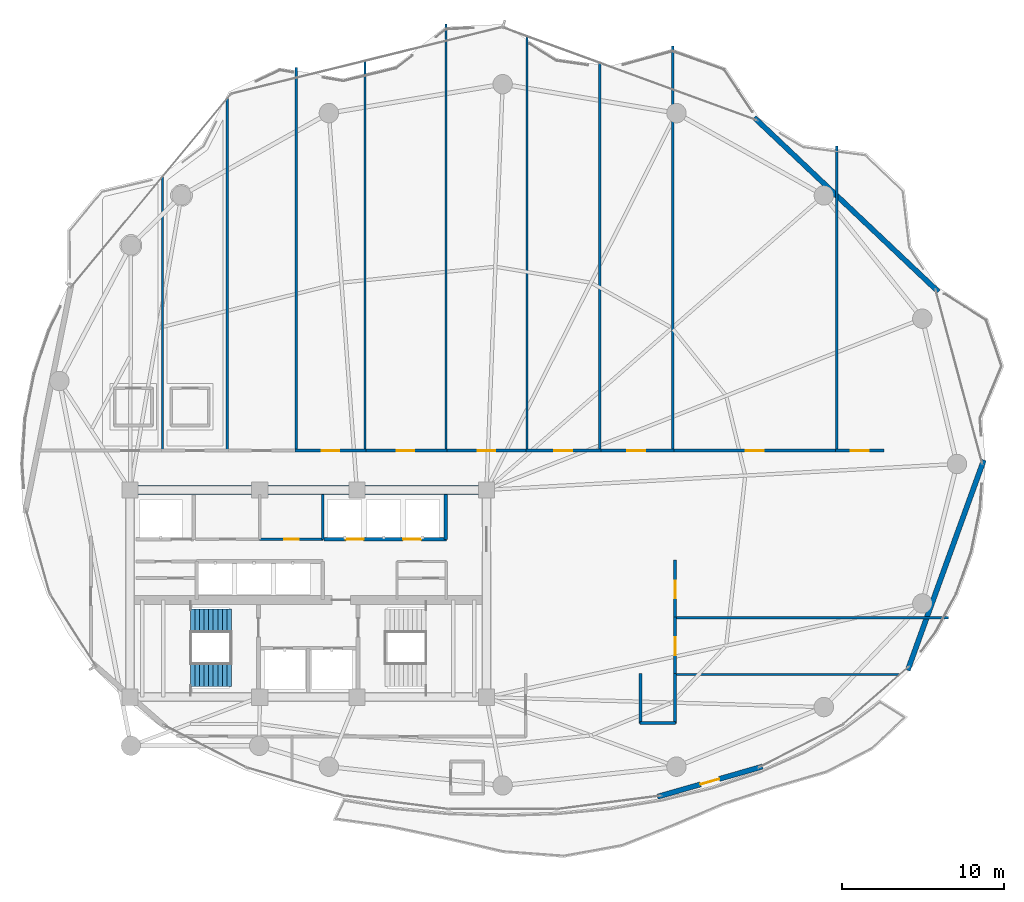
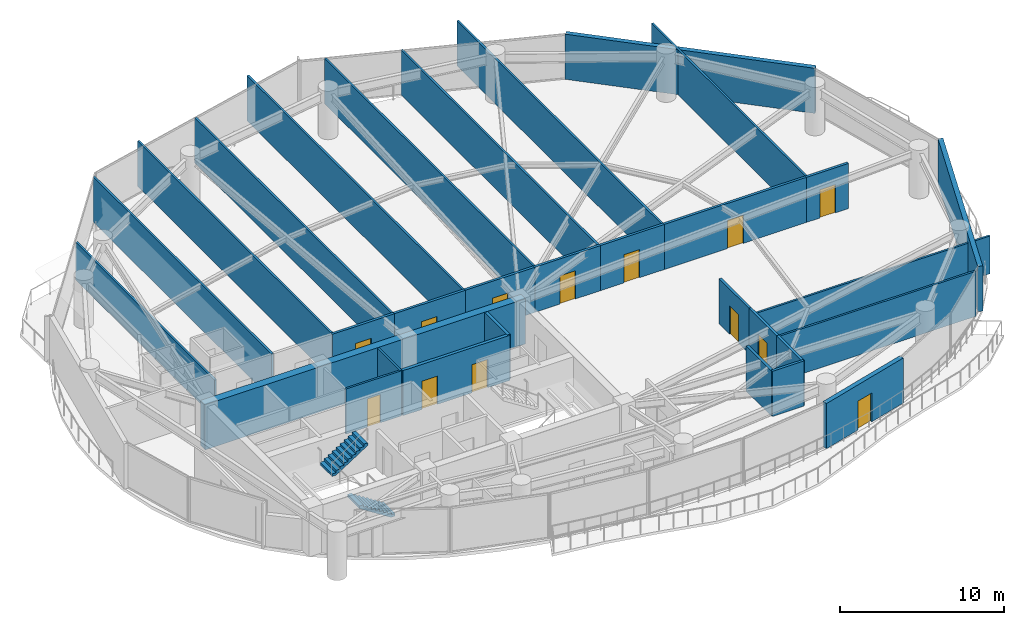
# One storey, part 24 of 28: 31 walls, 13 doors, 2 stair flights, 13 openings, 1 element without a shape of its own.
"""IFC4 building model written with IfcOpenShell, lengths in metres."""

from ifc_helpers import new_model, si_unit, direction, frame, frame_2d, origin, place, context, subcontext, project, spatial, polyline, rectangle, outline, extrude, material, layer, layer_set, type_object, element, fill, aggregate, save


model = new_model("IFC4")

# Units and contexts
model_context = context("Model", 3, precision=1e-05, world=origin(), true_north=direction((0.0, 1.0)))
body_context = subcontext(model_context, "Body", "Model", "MODEL_VIEW")
ifc_project = project(units=[si_unit("LENGTHUNIT", "METRE"), si_unit("AREAUNIT", "SQUARE_METRE"), si_unit("VOLUMEUNIT", "CUBIC_METRE"), si_unit("PLANEANGLEUNIT", "RADIAN"), si_unit("MASSUNIT", "GRAM", prefix="KILO")], contexts=[model_context])

# Site, building, storey
site_placement = place(None, origin())
site = spatial("IfcSite", under=ifc_project, at=site_placement, CompositionType="ELEMENT")
building_placement = place(site_placement, origin())
building = spatial("IfcBuilding", under=site, at=building_placement, Name="Kazevale Care Tower and Concert Hall", CompositionType="ELEMENT")
storey_placement = place(building_placement, frame((0.0, 0.0, 109.800048828125)))
storey = spatial("IfcBuildingStorey", under=building, at=storey_placement, Name="L28", CompositionType="ELEMENT", Elevation=109.800048828125)

# Wall, opening, door
ifc_material_1 = material(Name="Acoustic Gypsum on Steel Stud", Category="steel")
ifc_layer_1 = layer(ifc_material_1, 0.139892578125)
ifc_layer_set_1 = layer_set([ifc_layer_1], Name="Acoustic Gypsum on Steel Stud")
wall_type_1 = type_object("IfcWallType", Name="Acoustic Care & Suite Partition 140", PredefinedType="PARTITIONING", material=ifc_layer_set_1)
wall_1_placement = place(storey_placement, frame((30.0, 33.35009765625, 0.0), z_axis=(0.0, 0.0, 1.0), x_axis=(1.0, 0.0, 0.0)))
wall_1 = element("IfcWall", 1, at=wall_1_placement, inside=storey, type_object=wall_type_1, Name="wall:L28:c_rpl2_s", PredefinedType="PARTITIONING", context=body_context, shape_type="SweptSolid", body=[
    extrude(rectangle(XDim=3.919921875, YDim=0.139892578125, at=frame_2d((1.9599609375, 0.0))), origin(), (0.0, 0.0, 1.0), 3.35986328125),
])
opening_1_placement = place(wall_1_placement, frame((1.5, 0.0, 0.0)))
opening_1 = element("IfcOpeningElement", 2, at=opening_1_placement, cuts=wall_1, Name="Opening ID-900", PredefinedType="OPENING", context=body_context, shape_type="SweptSolid", body=[
    extrude(rectangle(XDim=0.919921875, YDim=2.10009765625, at=frame_2d((0.4599609375, 1.050048828125))), frame((0.0, 0.079833984375, 0.0), z_axis=(0.0, -1.0, 0.0), x_axis=(1.0, 0.0, 0.0)), (0.0, 0.0, 1.0), 0.159912109375),
])
ifc_material_2 = material(Name="Oak Timber Fire Leaf", Category="wood")
door_type_1 = type_object("IfcDoorType", Name="Bathroom & Service Door 920x2100", OperationType="NOTDEFINED", PredefinedType="DOOR", material=ifc_material_2)
door_1_placement = place(opening_1_placement, origin())
door_1 = element("IfcDoor", 3, at=door_1_placement, inside=storey, type_object=door_type_1, Name="door:L28:d_rpl2", OperationType="SINGLE_SWING_RIGHT", OverallHeight=2.10009765625, OverallWidth=0.919921875, PredefinedType="DOOR", context=body_context, shape_type="SweptSolid", body=[
    extrude(rectangle(XDim=0.919921875, YDim=2.10009765625, at=frame_2d((0.4599609375, 1.050048828125))), frame((0.0, 0.02490234375, 0.0), z_axis=(0.0, -1.0, 0.0), x_axis=(1.0, 0.0, 0.0)), (0.0, 0.0, 1.0), 0.050048828125),
])
fill(opening_1, door_1)

# Walls
wall_2_placement = place(storey_placement, frame((33.89990234375, 33.35009765625, 0.0), z_axis=(0.0, 0.0, 1.0), x_axis=(0.0, 1.0, 0.0)))
element("IfcWall", 4, at=wall_2_placement, inside=storey, type_object=wall_type_1, Name="wall:L28:c_rpl_e", PredefinedType="PARTITIONING", context=body_context, shape_type="SweptSolid", body=[
    extrude(rectangle(XDim=2.75, YDim=0.139892578125, at=frame_2d((1.375, 0.0))), origin(), (0.0, 0.0, 1.0), 3.35986328125),
])
wall_3_placement = place(storey_placement, frame((24.0, 55.724365234375, 0.0), z_axis=(0.0, 0.0, 1.0), x_axis=(0.0, -1.0, 0.0)))
element("IfcWall", 5, at=wall_3_placement, inside=storey, type_object=wall_type_1, Name="wall:L28:auto_020", PredefinedType="PARTITIONING", context=body_context, shape_type="SweptSolid", body=[
    extrude(rectangle(XDim=16.929443359375, YDim=0.139892578125, at=frame_2d((8.46484375, 0.0))), origin(), (0.0, 0.0, 1.0), 2.805908203125),
])
wall_4_placement = place(storey_placement, frame((28.0, 60.55224609375, 0.0), z_axis=(0.0, 0.0, 1.0), x_axis=(0.0, -1.0, 0.0)))
element("IfcWall", 6, at=wall_4_placement, inside=storey, type_object=wall_type_1, Name="wall:L28:auto_021", PredefinedType="PARTITIONING", context=body_context, shape_type="SweptSolid", body=[
    extrude(rectangle(XDim=21.75732421875, YDim=0.139892578125, at=frame_2d((10.878662109375, 0.0))), origin(), (0.0, 0.0, 1.0), 3.35986328125),
])
wall_5_placement = place(storey_placement, frame((32.25, 62.48291015625, 0.0), z_axis=(0.0, 0.0, 1.0), x_axis=(0.0, -1.0, 0.0)))
element("IfcWall", 7, at=wall_5_placement, inside=storey, type_object=wall_type_1, Name="wall:L28:auto_022", PredefinedType="PARTITIONING", context=body_context, shape_type="SweptSolid", body=[
    extrude(rectangle(XDim=23.68798828125, YDim=0.139892578125, at=frame_2d((11.843994140625, 0.0))), origin(), (0.0, 0.0, 1.0), 3.35986328125),
])
wall_6_placement = place(storey_placement, frame((36.5, 62.8759765625, 0.0), z_axis=(0.0, 0.0, 1.0), x_axis=(0.0, -1.0, 0.0)))
element("IfcWall", 8, at=wall_6_placement, inside=storey, type_object=wall_type_1, Name="wall:L28:auto_023", PredefinedType="PARTITIONING", context=body_context, shape_type="SweptSolid", body=[
    extrude(rectangle(XDim=24.0810546875, YDim=0.139892578125, at=frame_2d((12.04052734375, 0.0))), origin(), (0.0, 0.0, 1.0), 3.35986328125),
])
wall_7_placement = place(storey_placement, frame((41.5, 65.174072265625, 0.0), z_axis=(0.0, 0.0, 1.0), x_axis=(0.0, -1.0, 0.0)))
element("IfcWall", 9, at=wall_7_placement, inside=storey, type_object=wall_type_1, Name="wall:L28:auto_024", PredefinedType="PARTITIONING", context=body_context, shape_type="SweptSolid", body=[
    extrude(rectangle(XDim=26.379150390625, YDim=0.139892578125, at=frame_2d((13.189453125, 0.0))), origin(), (0.0, 0.0, 1.0), 3.35986328125),
])
wall_8_placement = place(storey_placement, frame((46.5, 64.368896484375, 0.0), z_axis=(0.0, 0.0, 1.0), x_axis=(0.0, -1.0, 0.0)))
element("IfcWall", 10, at=wall_8_placement, inside=storey, type_object=wall_type_1, Name="wall:L28:auto_025", PredefinedType="PARTITIONING", context=body_context, shape_type="SweptSolid", body=[
    extrude(rectangle(XDim=25.573974609375, YDim=0.139892578125, at=frame_2d((12.787109375, 0.0))), origin(), (0.0, 0.0, 1.0), 3.35986328125),
])
wall_9_placement = place(storey_placement, frame((51.0, 62.85693359375, 0.0), z_axis=(0.0, 0.0, 1.0), x_axis=(0.0, -1.0, 0.0)))
element("IfcWall", 11, at=wall_9_placement, inside=storey, type_object=wall_type_1, Name="wall:L28:auto_026", PredefinedType="PARTITIONING", context=body_context, shape_type="SweptSolid", body=[
    extrude(rectangle(XDim=24.06201171875, YDim=0.139892578125, at=frame_2d((12.031005859375, 0.0))), origin(), (0.0, 0.0, 1.0), 3.35986328125),
])
wall_10_placement = place(storey_placement, frame((55.5, 63.81103515625, 0.0), z_axis=(0.0, 0.0, 1.0), x_axis=(0.0, -1.0, 0.0)))
element("IfcWall", 12, at=wall_10_placement, inside=storey, type_object=wall_type_1, Name="wall:L28:auto_027", PredefinedType="PARTITIONING", context=body_context, shape_type="SweptSolid", body=[
    extrude(rectangle(XDim=25.01611328125, YDim=0.139892578125, at=frame_2d((12.508056640625, 0.0))), origin(), (0.0, 0.0, 1.0), 3.35986328125),
])
wall_11_placement = place(storey_placement, frame((65.6298828125, 57.634033203125, 0.0), z_axis=(0.0, 0.0, 1.0), x_axis=(0.0, -1.0, 0.0)))
element("IfcWall", 13, at=wall_11_placement, inside=storey, type_object=wall_type_1, Name="wall:L28:auto_028", PredefinedType="PARTITIONING", context=body_context, shape_type="SweptSolid", body=[
    extrude(rectangle(XDim=18.839111328125, YDim=0.139892578125, at=frame_2d((9.41943359375, 0.0))), origin(), (0.0, 0.0, 1.0), 3.35986328125),
])
wall_12_placement = place(storey_placement, frame((55.6201171875, 25.0, 0.0), z_axis=(0.0, 0.0, 1.0), x_axis=(1.0, 0.0, 0.0)))
element("IfcWall", 14, at=wall_12_placement, inside=storey, type_object=wall_type_1, Name="wall:L28:auto_029", PredefinedType="PARTITIONING", context=body_context, shape_type="SweptSolid", body=[
    extrude(rectangle(XDim=13.891357421875, YDim=0.139892578125, at=frame_2d((6.94580078125, 0.0))), origin(), (0.0, 0.0, 1.0), 3.35986328125),
])
wall_13_placement = place(storey_placement, frame((55.6201171875, 28.5, 0.0), z_axis=(0.0, 0.0, 1.0), x_axis=(1.0, 0.0, 0.0)))
element("IfcWall", 15, at=wall_13_placement, inside=storey, type_object=wall_type_1, Name="wall:L28:auto_030", PredefinedType="PARTITIONING", context=body_context, shape_type="SweptSolid", body=[
    extrude(rectangle(XDim=16.914794921875, YDim=0.139892578125, at=frame_2d((8.45751953125, 0.0))), origin(), (0.0, 0.0, 1.0), 2.805908203125),
])
ifc_material_3 = material(Name="Concrete C60", Category="concrete")
ifc_layer_2 = layer(ifc_material_3, 0.550048828125)
ifc_layer_set_2 = layer_set([ifc_layer_2], Name="Concrete C60")
wall_type_2 = type_object("IfcWallType", Name="Core Shear Wall 550 C60", PredefinedType="SHEAR", material=ifc_layer_set_2)
wall_14_placement = place(storey_placement, frame((21.72509765625, 36.39990234375, 0.0), z_axis=(0.0, 0.0, 1.0), x_axis=(1.0, 0.0, 0.0)))
element("IfcWall", 16, at=wall_14_placement, inside=storey, type_object=wall_type_2, Name="wall:L28:core:N", PredefinedType="SHEAR", context=body_context, shape_type="SweptSolid", body=[
    extrude(rectangle(XDim=22.5498046875, YDim=0.550048828125, at=frame_2d((11.27490234375, 0.0))), origin(), (0.0, 0.0, 1.0), 3.35986328125),
])

# Wall, openings, doors
ifc_material_4 = material(Name="Concrete C40", Category="concrete")
ifc_layer_3 = layer(ifc_material_4, 0.219970703125)
ifc_layer_set_3 = layer_set([ifc_layer_3], Name="Concrete C40")
wall_type_3 = type_object("IfcWallType", Name="Elevator Hoistway Shaft Wall 220", PredefinedType="SOLIDWALL", material=ifc_layer_set_3)
wall_15_placement = place(storey_placement, frame((33.97998046875, 33.35009765625, 0.0), z_axis=(0.0, 0.0, 1.0), x_axis=(1.0, 0.0, 0.0)))
wall_15 = element("IfcWall", 17, at=wall_15_placement, inside=storey, type_object=wall_type_3, Name="wall:L28:c_pm_s", PredefinedType="SOLIDWALL", context=body_context, shape_type="SweptSolid", body=[
    extrude(rectangle(XDim=7.5400390625, YDim=0.219970703125, at=frame_2d((3.77001953125, 0.0))), origin(), (0.0, 0.0, 1.0), 3.35986328125),
])
opening_2_placement = place(wall_15_placement, frame((1.3349609375, 0.0, 0.0)))
opening_2 = element("IfcOpeningElement", 18, at=opening_2_placement, cuts=wall_15, Name="Opening LD-PAX", PredefinedType="OPENING", context=body_context, shape_type="SweptSolid", body=[
    extrude(rectangle(XDim=1.10009765625, YDim=2.10009765625, at=frame_2d((0.550048828125, 1.050048828125))), frame((0.0, 0.119873046875, 0.0), z_axis=(0.0, -1.0, 0.0), x_axis=(1.0, 0.0, 0.0)), (0.0, 0.0, 1.0), 0.239990234375),
])
opening_3_placement = place(wall_15_placement, frame((4.87890625, 0.0, 0.0)))
opening_3 = element("IfcOpeningElement", 19, at=opening_3_placement, cuts=wall_15, Name="Opening LD-PAX", PredefinedType="OPENING", context=body_context, shape_type="SweptSolid", body=[
    extrude(rectangle(XDim=1.10009765625, YDim=2.10009765625, at=frame_2d((0.550048828125, 1.050048828125))), frame((0.0, 0.119873046875, 0.0), z_axis=(0.0, -1.0, 0.0), x_axis=(1.0, 0.0, 0.0)), (0.0, 0.0, 1.0), 0.239990234375),
])
ifc_material_5 = material(Name="Stainless Steel 316", Category="steel")
door_type_2 = type_object("IfcDoorType", Name="Passenger Lift Sliding Landing Door 1100x2100", OperationType="NOTDEFINED", PredefinedType="DOOR", material=ifc_material_5)
door_2_placement = place(opening_2_placement, origin())
door_2 = element("IfcDoor", 20, at=door_2_placement, inside=storey, type_object=door_type_2, Name="door:L28:ld_pm1", OperationType="SLIDING_TO_LEFT", OverallHeight=2.10009765625, OverallWidth=1.10009765625, PredefinedType="DOOR", context=body_context, shape_type="SweptSolid", body=[
    extrude(rectangle(XDim=1.10009765625, YDim=2.10009765625, at=frame_2d((0.550048828125, 1.050048828125))), frame((0.0, 0.02490234375, 0.0), z_axis=(0.0, -1.0, 0.0), x_axis=(1.0, 0.0, 0.0)), (0.0, 0.0, 1.0), 0.050048828125),
])
fill(opening_2, door_2)
door_3_placement = place(opening_3_placement, origin())
door_3 = element("IfcDoor", 21, at=door_3_placement, inside=storey, type_object=door_type_2, Name="door:L28:ld_pm2", OperationType="SLIDING_TO_RIGHT", OverallHeight=2.10009765625, OverallWidth=1.10009765625, PredefinedType="DOOR", context=body_context, shape_type="SweptSolid", body=[
    extrude(rectangle(XDim=1.10009765625, YDim=2.10009765625, at=frame_2d((0.550048828125, 1.050048828125))), frame((0.0, 0.02490234375, 0.0), z_axis=(0.0, -1.0, 0.0), x_axis=(1.0, 0.0, 0.0)), (0.0, 0.0, 1.0), 0.050048828125),
])
fill(opening_3, door_3)

# Wall
wall_16_placement = place(storey_placement, frame((41.5, 33.35009765625, 0.0), z_axis=(0.0, 0.0, 1.0), x_axis=(0.0, 1.0, 0.0)))
element("IfcWall", 22, at=wall_16_placement, inside=storey, type_object=wall_type_3, Name="wall:L28:c_pm_e", PredefinedType="SOLIDWALL", context=body_context, shape_type="SweptSolid", body=[
    extrude(rectangle(XDim=2.75, YDim=0.219970703125, at=frame_2d((1.375, 0.0))), origin(), (0.0, 0.0, 1.0), 3.35986328125),
])

# Wall, opening, door
ifc_material_6 = material(Name="Concrete C40 and Acoustic Gypsum", Category="concrete")
ifc_layer_4 = layer(ifc_material_6, 0.179931640625)
ifc_layer_set_4 = layer_set([ifc_layer_4], Name="Concrete C40 and Acoustic Gypsum")
wall_type_4 = type_object("IfcWallType", Name="Fire-Rated Corridor & Party Wall 180", PredefinedType="PARTITIONING", material=ifc_layer_set_4)
wall_17_placement = place(storey_placement, frame((32.18505859375, 38.824951171875, 0.0), z_axis=(0.0, 0.0, 1.0), x_axis=(1.0, 0.0, 0.0)))
wall_17 = element("IfcWall", 23, at=wall_17_placement, inside=storey, type_object=wall_type_4, Name="wall:L28:auto_004", PredefinedType="PARTITIONING", context=body_context, shape_type="SweptSolid", body=[
    extrude(rectangle(XDim=4.3798828125, YDim=0.179931640625, at=frame_2d((2.18994140625, 0.0))), origin(), (0.0, 0.0, 1.0), 3.35986328125),
])
opening_4_placement = place(wall_17_placement, frame((1.639892578125, 0.0, 0.0)))
opening_4 = element("IfcOpeningElement", 24, at=opening_4_placement, cuts=wall_17, Name="Opening ID-1100", PredefinedType="OPENING", context=body_context, shape_type="SweptSolid", body=[
    extrude(rectangle(XDim=1.10009765625, YDim=2.10009765625, at=frame_2d((0.550048828125, 1.050048828125))), frame((0.0, 0.099853515625, 0.0), z_axis=(0.0, -1.0, 0.0), x_axis=(1.0, 0.0, 0.0)), (0.0, 0.0, 1.0), 0.199951171875),
])
door_type_3 = type_object("IfcDoorType", Name="Care Bedroom Accessible Door 1100x2100", OperationType="NOTDEFINED", PredefinedType="DOOR", material=ifc_material_2)
door_4_placement = place(opening_4_placement, origin())
door_4 = element("IfcDoor", 25, at=door_4_placement, inside=storey, type_object=door_type_3, Name="door:L28:ad_004", OperationType="SINGLE_SWING_LEFT", OverallHeight=2.10009765625, OverallWidth=1.10009765625, PredefinedType="DOOR", context=body_context, shape_type="SweptSolid", body=[
    extrude(rectangle(XDim=1.10009765625, YDim=2.10009765625, at=frame_2d((0.550048828125, 1.050048828125))), frame((0.0, 0.02490234375, 0.0), z_axis=(0.0, -1.0, 0.0), x_axis=(1.0, 0.0, 0.0)), (0.0, 0.0, 1.0), 0.050048828125),
])
fill(opening_4, door_4)

wall_18_placement = place(storey_placement, frame((36.43505859375, 38.824951171875, 0.0), z_axis=(0.0, 0.0, 1.0), x_axis=(1.0, 0.0, 0.0)))
wall_18 = element("IfcWall", 26, at=wall_18_placement, inside=storey, type_object=wall_type_4, Name="wall:L28:auto_005", PredefinedType="PARTITIONING", context=body_context, shape_type="SweptSolid", body=[
    extrude(rectangle(XDim=5.1298828125, YDim=0.179931640625, at=frame_2d((2.56494140625, 0.0))), origin(), (0.0, 0.0, 1.0), 3.35986328125),
])
opening_5_placement = place(wall_18_placement, frame((2.014892578125, 0.0, 0.0)))
opening_5 = element("IfcOpeningElement", 27, at=opening_5_placement, cuts=wall_18, Name="Opening ID-1100", PredefinedType="OPENING", context=body_context, shape_type="SweptSolid", body=[
    extrude(rectangle(XDim=1.10009765625, YDim=2.10009765625, at=frame_2d((0.550048828125, 1.050048828125))), frame((0.0, 0.099853515625, 0.0), z_axis=(0.0, -1.0, 0.0), x_axis=(1.0, 0.0, 0.0)), (0.0, 0.0, 1.0), 0.199951171875),
])
door_5_placement = place(opening_5_placement, origin())
door_5 = element("IfcDoor", 28, at=door_5_placement, inside=storey, type_object=door_type_3, Name="door:L28:ad_005", OperationType="SINGLE_SWING_LEFT", OverallHeight=2.10009765625, OverallWidth=1.10009765625, PredefinedType="DOOR", context=body_context, shape_type="SweptSolid", body=[
    extrude(rectangle(XDim=1.10009765625, YDim=2.10009765625, at=frame_2d((0.550048828125, 1.050048828125))), frame((0.0, 0.02490234375, 0.0), z_axis=(0.0, -1.0, 0.0), x_axis=(1.0, 0.0, 0.0)), (0.0, 0.0, 1.0), 0.050048828125),
])
fill(opening_5, door_5)

wall_19_placement = place(storey_placement, frame((41.43505859375, 38.824951171875, 0.0), z_axis=(0.0, 0.0, 1.0), x_axis=(1.0, 0.0, 0.0)))
wall_19 = element("IfcWall", 29, at=wall_19_placement, inside=storey, type_object=wall_type_4, Name="wall:L28:auto_006", PredefinedType="PARTITIONING", context=body_context, shape_type="SweptSolid", body=[
    extrude(rectangle(XDim=5.1298828125, YDim=0.179931640625, at=frame_2d((2.56494140625, 0.0))), origin(), (0.0, 0.0, 1.0), 3.35986328125),
])
opening_6_placement = place(wall_19_placement, frame((2.014892578125, 0.0, 0.0)))
opening_6 = element("IfcOpeningElement", 30, at=opening_6_placement, cuts=wall_19, Name="Opening ID-1100", PredefinedType="OPENING", context=body_context, shape_type="SweptSolid", body=[
    extrude(rectangle(XDim=1.10009765625, YDim=2.10009765625, at=frame_2d((0.550048828125, 1.050048828125))), frame((0.0, 0.099853515625, 0.0), z_axis=(0.0, -1.0, 0.0), x_axis=(1.0, 0.0, 0.0)), (0.0, 0.0, 1.0), 0.199951171875),
])
door_6_placement = place(opening_6_placement, origin())
door_6 = element("IfcDoor", 31, at=door_6_placement, inside=storey, type_object=door_type_3, Name="door:L28:ad_006", OperationType="SINGLE_SWING_LEFT", OverallHeight=2.10009765625, OverallWidth=1.10009765625, PredefinedType="DOOR", context=body_context, shape_type="SweptSolid", body=[
    extrude(rectangle(XDim=1.10009765625, YDim=2.10009765625, at=frame_2d((0.550048828125, 1.050048828125))), frame((0.0, 0.02490234375, 0.0), z_axis=(0.0, -1.0, 0.0), x_axis=(1.0, 0.0, 0.0)), (0.0, 0.0, 1.0), 0.050048828125),
])
fill(opening_6, door_6)

wall_20_placement = place(storey_placement, frame((46.43505859375, 38.824951171875, 0.0), z_axis=(0.0, 0.0, 1.0), x_axis=(1.0, 0.0, 0.0)))
wall_20 = element("IfcWall", 32, at=wall_20_placement, inside=storey, type_object=wall_type_4, Name="wall:L28:auto_007", PredefinedType="PARTITIONING", context=body_context, shape_type="SweptSolid", body=[
    extrude(rectangle(XDim=4.6298828125, YDim=0.179931640625, at=frame_2d((2.31494140625, 0.0))), origin(), (0.0, 0.0, 1.0), 3.35986328125),
])
opening_7_placement = place(wall_20_placement, frame((1.764892578125, 0.0, 0.0)))
opening_7 = element("IfcOpeningElement", 33, at=opening_7_placement, cuts=wall_20, Name="Opening ID-1100", PredefinedType="OPENING", context=body_context, shape_type="SweptSolid", body=[
    extrude(rectangle(XDim=1.10009765625, YDim=2.10009765625, at=frame_2d((0.550048828125, 1.050048828125))), frame((0.0, 0.099853515625, 0.0), z_axis=(0.0, -1.0, 0.0), x_axis=(1.0, 0.0, 0.0)), (0.0, 0.0, 1.0), 0.199951171875),
])
door_7_placement = place(opening_7_placement, origin())
door_7 = element("IfcDoor", 34, at=door_7_placement, inside=storey, type_object=door_type_3, Name="door:L28:ad_007", OperationType="SINGLE_SWING_LEFT", OverallHeight=2.10009765625, OverallWidth=1.10009765625, PredefinedType="DOOR", context=body_context, shape_type="SweptSolid", body=[
    extrude(rectangle(XDim=1.10009765625, YDim=2.10009765625, at=frame_2d((0.550048828125, 1.050048828125))), frame((0.0, 0.02490234375, 0.0), z_axis=(0.0, -1.0, 0.0), x_axis=(1.0, 0.0, 0.0)), (0.0, 0.0, 1.0), 0.050048828125),
])
fill(opening_7, door_7)

wall_21_placement = place(storey_placement, frame((50.93505859375, 38.824951171875, 0.0), z_axis=(0.0, 0.0, 1.0), x_axis=(1.0, 0.0, 0.0)))
wall_21 = element("IfcWall", 35, at=wall_21_placement, inside=storey, type_object=wall_type_4, Name="wall:L28:auto_008", PredefinedType="PARTITIONING", context=body_context, shape_type="SweptSolid", body=[
    extrude(rectangle(XDim=4.6298828125, YDim=0.179931640625, at=frame_2d((2.31494140625, 0.0))), origin(), (0.0, 0.0, 1.0), 3.35986328125),
])
opening_8_placement = place(wall_21_placement, frame((1.764892578125, 0.0, 0.0)))
opening_8 = element("IfcOpeningElement", 36, at=opening_8_placement, cuts=wall_21, Name="Opening ID-1100", PredefinedType="OPENING", context=body_context, shape_type="SweptSolid", body=[
    extrude(rectangle(XDim=1.10009765625, YDim=2.10009765625, at=frame_2d((0.550048828125, 1.050048828125))), frame((0.0, 0.099853515625, 0.0), z_axis=(0.0, -1.0, 0.0), x_axis=(1.0, 0.0, 0.0)), (0.0, 0.0, 1.0), 0.199951171875),
])
door_8_placement = place(opening_8_placement, origin())
door_8 = element("IfcDoor", 37, at=door_8_placement, inside=storey, type_object=door_type_3, Name="door:L28:ad_008", OperationType="SINGLE_SWING_LEFT", OverallHeight=2.10009765625, OverallWidth=1.10009765625, PredefinedType="DOOR", context=body_context, shape_type="SweptSolid", body=[
    extrude(rectangle(XDim=1.10009765625, YDim=2.10009765625, at=frame_2d((0.550048828125, 1.050048828125))), frame((0.0, 0.02490234375, 0.0), z_axis=(0.0, -1.0, 0.0), x_axis=(1.0, 0.0, 0.0)), (0.0, 0.0, 1.0), 0.050048828125),
])
fill(opening_8, door_8)

wall_22_placement = place(storey_placement, frame((55.43505859375, 38.824951171875, 0.0), z_axis=(0.0, 0.0, 1.0), x_axis=(1.0, 0.0, 0.0)))
wall_22 = element("IfcWall", 38, at=wall_22_placement, inside=storey, type_object=wall_type_4, Name="wall:L28:auto_009", PredefinedType="PARTITIONING", context=body_context, shape_type="SweptSolid", body=[
    extrude(rectangle(XDim=10.260009765625, YDim=0.179931640625, at=frame_2d((5.1298828125, 0.0))), origin(), (0.0, 0.0, 1.0), 3.35986328125),
])
opening_9_placement = place(wall_22_placement, frame((4.580078125, 0.0, 0.0)))
opening_9 = element("IfcOpeningElement", 39, at=opening_9_placement, cuts=wall_22, Name="Opening ID-1100", PredefinedType="OPENING", context=body_context, shape_type="SweptSolid", body=[
    extrude(rectangle(XDim=1.10009765625, YDim=2.10009765625, at=frame_2d((0.550048828125, 1.050048828125))), frame((0.0, 0.099853515625, 0.0), z_axis=(0.0, -1.0, 0.0), x_axis=(1.0, 0.0, 0.0)), (0.0, 0.0, 1.0), 0.199951171875),
])
door_9_placement = place(opening_9_placement, origin())
door_9 = element("IfcDoor", 40, at=door_9_placement, inside=storey, type_object=door_type_3, Name="door:L28:ad_009", OperationType="SINGLE_SWING_LEFT", OverallHeight=2.10009765625, OverallWidth=1.10009765625, PredefinedType="DOOR", context=body_context, shape_type="SweptSolid", body=[
    extrude(rectangle(XDim=1.10009765625, YDim=2.10009765625, at=frame_2d((0.550048828125, 1.050048828125))), frame((0.0, 0.02490234375, 0.0), z_axis=(0.0, -1.0, 0.0), x_axis=(1.0, 0.0, 0.0)), (0.0, 0.0, 1.0), 0.050048828125),
])
fill(opening_9, door_9)

wall_23_placement = place(storey_placement, frame((65.56494140625, 38.824951171875, 0.0), z_axis=(0.0, 0.0, 1.0), x_axis=(1.0, 0.0, 0.0)))
wall_23 = element("IfcWall", 41, at=wall_23_placement, inside=storey, type_object=wall_type_4, Name="wall:L28:auto_010", PredefinedType="PARTITIONING", context=body_context, shape_type="SweptSolid", body=[
    extrude(rectangle(XDim=2.965087890625, YDim=0.179931640625, at=frame_2d((1.482421875, 0.0))), origin(), (0.0, 0.0, 1.0), 3.35986328125),
])
opening_10_placement = place(wall_23_placement, frame((0.931884765625, 0.0, 0.0)))
opening_10 = element("IfcOpeningElement", 42, at=opening_10_placement, cuts=wall_23, Name="Opening ID-1100", PredefinedType="OPENING", context=body_context, shape_type="SweptSolid", body=[
    extrude(rectangle(XDim=1.10009765625, YDim=2.10009765625, at=frame_2d((0.550048828125, 1.050048828125))), frame((0.0, 0.099853515625, 0.0), z_axis=(0.0, -1.0, 0.0), x_axis=(1.0, 0.0, 0.0)), (0.0, 0.0, 1.0), 0.199951171875),
])
door_10_placement = place(opening_10_placement, origin())
door_10 = element("IfcDoor", 43, at=door_10_placement, inside=storey, type_object=door_type_3, Name="door:L28:ad_010", OperationType="SINGLE_SWING_LEFT", OverallHeight=2.10009765625, OverallWidth=1.10009765625, PredefinedType="DOOR", context=body_context, shape_type="SweptSolid", body=[
    extrude(rectangle(XDim=1.10009765625, YDim=2.10009765625, at=frame_2d((0.550048828125, 1.050048828125))), frame((0.0, 0.02490234375, 0.0), z_axis=(0.0, -1.0, 0.0), x_axis=(1.0, 0.0, 0.0)), (0.0, 0.0, 1.0), 0.050048828125),
])
fill(opening_10, door_10)

# Walls
for number, where, z_axis, x_axis, name in (
    (44, (55.64990234375, 25.06494140625, 0.0), (0.0, 0.0, 1.0), (0.0, -1.0, 0.0), "wall:L28:auto_012"),
    (45, (53.5, 21.969970703125, 0.0), (0.0, 0.0, 1.0), (0.0, 1.0, 0.0), "wall:L28:auto_013"),
):
    element("IfcWall", number, at=place(storey_placement, frame(where, z_axis=z_axis, x_axis=x_axis)), inside=storey, type_object=wall_type_4, Name=name, PredefinedType="PARTITIONING", context=body_context, shape_type="SweptSolid", body=[
        extrude(rectangle(XDim=3.094970703125, YDim=0.179931640625, at=frame_2d((1.54736328125, 0.0))), origin(), (0.0, 0.0, 1.0), 3.35986328125),
    ])
wall_24_placement = place(storey_placement, frame((55.679931640625, 22.0, 0.0), z_axis=(0.0, 0.0, 1.0), x_axis=(-1.0, 0.0, 0.0)))
element("IfcWall", 46, at=wall_24_placement, inside=storey, type_object=wall_type_4, Name="wall:L28:auto_014", PredefinedType="PARTITIONING", context=body_context, shape_type="SweptSolid", body=[
    extrude(rectangle(XDim=2.2099609375, YDim=0.179931640625, at=frame_2d((1.10498046875, 0.0))), origin(), (0.0, 0.0, 1.0), 3.35986328125),
])

# Wall, opening, door
wall_25_placement = place(storey_placement, frame((55.64990234375, 28.56494140625, 0.0), z_axis=(0.0, 0.0, 1.0), x_axis=(0.0, -1.0, 0.0)))
wall_25 = element("IfcWall", 47, at=wall_25_placement, inside=storey, type_object=wall_type_4, Name="wall:L28:auto_015", PredefinedType="PARTITIONING", context=body_context, shape_type="SweptSolid", body=[
    extrude(rectangle(XDim=3.6298828125, YDim=0.179931640625, at=frame_2d((1.81494140625, 0.0))), origin(), (0.0, 0.0, 1.0), 3.35986328125),
])
opening_11_placement = place(wall_25_placement, frame((1.264892578125, 0.0, 0.0)))
opening_11 = element("IfcOpeningElement", 48, at=opening_11_placement, cuts=wall_25, Name="Opening ID-1100", PredefinedType="OPENING", context=body_context, shape_type="SweptSolid", body=[
    extrude(rectangle(XDim=1.10009765625, YDim=2.10009765625, at=frame_2d((0.550048828125, 1.050048828125))), frame((0.0, 0.099853515625, 0.0), z_axis=(0.0, -1.0, 0.0), x_axis=(1.0, 0.0, 0.0)), (0.0, 0.0, 1.0), 0.199951171875),
])
door_11_placement = place(opening_11_placement, origin())
door_11 = element("IfcDoor", 49, at=door_11_placement, inside=storey, type_object=door_type_3, Name="door:L28:ad_015", OperationType="SINGLE_SWING_LEFT", OverallHeight=2.10009765625, OverallWidth=1.10009765625, PredefinedType="DOOR", context=body_context, shape_type="SweptSolid", body=[
    extrude(rectangle(XDim=1.10009765625, YDim=2.10009765625, at=frame_2d((0.550048828125, 1.050048828125))), frame((0.0, 0.02490234375, 0.0), z_axis=(0.0, -1.0, 0.0), x_axis=(1.0, 0.0, 0.0)), (0.0, 0.0, 1.0), 0.050048828125),
])
fill(opening_11, door_11)

wall_26_placement = place(storey_placement, frame((55.64990234375, 32.06494140625, 0.0), z_axis=(0.0, 0.0, 1.0), x_axis=(0.0, -1.0, 0.0)))
wall_26 = element("IfcWall", 50, at=wall_26_placement, inside=storey, type_object=wall_type_4, Name="wall:L28:auto_016", PredefinedType="PARTITIONING", context=body_context, shape_type="SweptSolid", body=[
    extrude(rectangle(XDim=3.6298828125, YDim=0.179931640625, at=frame_2d((1.81494140625, 0.0))), origin(), (0.0, 0.0, 1.0), 3.35986328125),
])
opening_12_placement = place(wall_26_placement, frame((1.264892578125, 0.0, 0.0)))
opening_12 = element("IfcOpeningElement", 51, at=opening_12_placement, cuts=wall_26, Name="Opening ID-1100", PredefinedType="OPENING", context=body_context, shape_type="SweptSolid", body=[
    extrude(rectangle(XDim=1.10009765625, YDim=2.10009765625, at=frame_2d((0.550048828125, 1.050048828125))), frame((0.0, 0.099853515625, 0.0), z_axis=(0.0, -1.0, 0.0), x_axis=(1.0, 0.0, 0.0)), (0.0, 0.0, 1.0), 0.199951171875),
])
door_12_placement = place(opening_12_placement, origin())
door_12 = element("IfcDoor", 52, at=door_12_placement, inside=storey, type_object=door_type_3, Name="door:L28:ad_016", OperationType="SINGLE_SWING_LEFT", OverallHeight=2.10009765625, OverallWidth=1.10009765625, PredefinedType="DOOR", context=body_context, shape_type="SweptSolid", body=[
    extrude(rectangle(XDim=1.10009765625, YDim=2.10009765625, at=frame_2d((0.550048828125, 1.050048828125))), frame((0.0, 0.02490234375, 0.0), z_axis=(0.0, -1.0, 0.0), x_axis=(1.0, 0.0, 0.0)), (0.0, 0.0, 1.0), 0.050048828125),
])
fill(opening_12, door_12)

# Wall
ifc_material_7 = material(Name="Concrete C40 with Honed Limestone Cladding", Category="masonry")
ifc_layer_5 = layer(ifc_material_7, 0.320068359375)
ifc_layer_set_5 = layer_set([ifc_layer_5], Name="Concrete C40 with Honed Limestone Cladding")
wall_type_5 = type_object("IfcWallType", Name="Tower Honed Limestone Spandrel Wall 320", PredefinedType="STANDARD", material=ifc_layer_set_5)
wall_27_placement = place(storey_placement, frame((74.7080078125, 38.243896484375, 0.0), z_axis=(0.0, 0.0, 1.0), x_axis=(-0.340324669139, -0.94030799187, 0.0)))
element("IfcWall", 53, at=wall_27_placement, inside=storey, type_object=wall_type_5, Name="wall:cw:L28:f01", PredefinedType="STANDARD", context=body_context, shape_type="SweptSolid", body=[
    extrude(rectangle(XDim=13.810302734375, YDim=0.320068359375, at=frame_2d((6.9052734375, 0.0))), origin(), (0.0, 0.0, 1.0), 3.35986328125),
])

# Wall, opening, door
wall_28_placement = place(storey_placement, frame((61.0390625, 19.31689453125, 0.0), z_axis=(0.0, 0.0, 1.0), x_axis=(-0.96106509915, -0.276322049784, 0.0)))
wall_28 = element("IfcWall", 54, at=wall_28_placement, inside=storey, type_object=wall_type_5, Name="wall:L28:bal_host", PredefinedType="STANDARD", context=body_context, shape_type="SweptSolid", body=[
    extrude(rectangle(XDim=6.745849609375, YDim=0.320068359375, at=frame_2d((3.373046875, 0.0))), origin(), (0.0, 0.0, 1.0), 3.35986328125),
])
opening_13_placement = place(wall_28_placement, frame((2.77294921875, 0.0, 0.0)))
opening_13 = element("IfcOpeningElement", 55, at=opening_13_placement, cuts=wall_28, Name="Opening BD-1200", PredefinedType="OPENING", context=body_context, shape_type="SweptSolid", body=[
    extrude(rectangle(XDim=1.199951171875, YDim=2.14990234375, at=frame_2d((0.60009765625, 1.074951171875))), frame((0.0, 0.169921875, 0.0), z_axis=(0.0, -1.0, 0.0), x_axis=(1.0, 0.0, 0.0)), (0.0, 0.0, 1.0), 0.340087890625),
])
ifc_material_8 = material(Name="Aluminium 6063-T6 and Low-E Glass", Category="aluminium")
door_type_4 = type_object("IfcDoorType", Name="Sheltered Balcony Glazed Door 1200x2150", OperationType="NOTDEFINED", PredefinedType="DOOR", material=ifc_material_8)
door_13_placement = place(opening_13_placement, origin())
door_13 = element("IfcDoor", 56, at=door_13_placement, inside=storey, type_object=door_type_4, Name="door:L28:BD-1", OperationType="SINGLE_SWING_LEFT", OverallHeight=2.14990234375, OverallWidth=1.199951171875, PredefinedType="DOOR", context=body_context, shape_type="SweptSolid", body=[
    extrude(rectangle(XDim=1.199951171875, YDim=2.14990234375, at=frame_2d((0.60009765625, 1.074951171875))), frame((0.0, 0.02490234375, 0.0), z_axis=(0.0, -1.0, 0.0), x_axis=(1.0, 0.0, 0.0)), (0.0, 0.0, 1.0), 0.050048828125),
])
fill(opening_13, door_13)

# Wall
wall_29_placement = place(storey_placement, frame((60.5380859375, 59.383056640625, 0.0), z_axis=(0.0, 0.0, 1.0), x_axis=(0.726378346584, -0.687295058628, 0.0)))
element("IfcWall", 57, at=wall_29_placement, inside=storey, type_object=wall_type_5, Name="wall:cw:L28:f17", PredefinedType="STANDARD", context=body_context, shape_type="SweptSolid", body=[
    extrude(rectangle(XDim=15.654052734375, YDim=0.320068359375, at=frame_2d((7.8271484375, 0.0))), origin(), (0.0, 0.0, 1.0), 3.35986328125),
])

# Stair, stair flights
stair_type = type_object("IfcStairType", Name="Exit Stair Assembly ST1-Z2", PredefinedType="HALF_TURN_STAIR", material=ifc_material_4)
stair_placement = place(storey_placement, origin())
stair = element("IfcStair", 58, at=stair_placement, inside=storey, type_object=stair_type, Name="stair:L28:ST1", PredefinedType="HALF_TURN_STAIR")
ifc_layer_6 = layer(ifc_material_4, 0.159912109375)
ifc_layer_set_6 = layer_set([ifc_layer_6], Name="Concrete C40")
stair_flight_type = type_object("IfcStairFlightType", Name="Exit Stair Flight ST1-Z2", PredefinedType="STRAIGHT", material=ifc_layer_set_6)
stair_flight_1_placement = place(storey_placement, frame((28.25, 24.97998046875, 0.0), z_axis=(0.0, 0.0, 1.0), x_axis=(-1.0, 0.0, 0.0)))
stair_flight_1 = element("IfcStairFlight", 59, at=stair_flight_1_placement, type_object=stair_flight_type, Name="ST1-Z2 flight 1", NumberOfRisers=10, NumberOfTreads=9, PredefinedType="STRAIGHT", RiserHeight=0.18, TreadLength=0.28, context=body_context, shape_type="SweptSolid", body=[
    extrude(outline(polyline([(0.0, 0.0), (0.0, 0.179931640625), (0.280029296875, 0.179931640625), (0.280029296875, 0.360107421875), (0.56005859375, 0.360107421875), (0.56005859375, 0.5400390625), (0.840087890625, 0.5400390625), (0.840087890625, 0.719970703125), (1.1201171875, 0.719970703125), (1.1201171875, 0.89990234375), (1.39990234375, 0.89990234375), (1.39990234375, 1.080078125), (1.679931640625, 1.080078125), (1.679931640625, 1.260009765625), (1.9599609375, 1.260009765625), (1.9599609375, 1.43994140625), (2.239990234375, 1.43994140625), (2.239990234375, 1.6201171875), (2.52001953125, 1.6201171875), (2.52001953125, 1.800048828125), (2.52001953125, 1.429931640625), (0.295654296875, 0.0), (0.0, 0.0)])), frame((0.0, 0.72998046875, 0.0), z_axis=(0.0, -1.0, 0.0), x_axis=(1.0, 0.0, 0.0)), (0.0, 0.0, 1.0), 1.4599609375),
])
stair_flight_2_placement = place(storey_placement, frame((25.72998046875, 28.320068359375, 1.800048828125), z_axis=(0.0, 0.0, 1.0), x_axis=(1.0, 0.0, 0.0)))
stair_flight_2 = element("IfcStairFlight", 60, at=stair_flight_2_placement, type_object=stair_flight_type, Name="ST1-Z2 flight 2", NumberOfRisers=10, NumberOfTreads=9, PredefinedType="STRAIGHT", RiserHeight=0.18, TreadLength=0.28, context=body_context, shape_type="SweptSolid", body=[
    extrude(outline(polyline([(0.0, 0.0), (0.0, 0.179931640625), (0.280029296875, 0.179931640625), (0.280029296875, 0.360107421875), (0.56005859375, 0.360107421875), (0.56005859375, 0.5400390625), (0.840087890625, 0.5400390625), (0.840087890625, 0.719970703125), (1.1201171875, 0.719970703125), (1.1201171875, 0.89990234375), (1.39990234375, 0.89990234375), (1.39990234375, 1.080078125), (1.679931640625, 1.080078125), (1.679931640625, 1.260009765625), (1.9599609375, 1.260009765625), (1.9599609375, 1.43994140625), (2.239990234375, 1.43994140625), (2.239990234375, 1.6201171875), (2.52001953125, 1.6201171875), (2.52001953125, 1.800048828125), (2.52001953125, 1.429931640625), (0.295654296875, 0.0), (0.0, 0.0)])), frame((0.0, 0.72998046875, 0.0), z_axis=(0.0, -1.0, 0.0), x_axis=(1.0, 0.0, 0.0)), (0.0, 0.0, 1.0), 1.4599609375),
])
aggregate(stair, [stair_flight_1, stair_flight_2])

save(model, "model.ifc")
